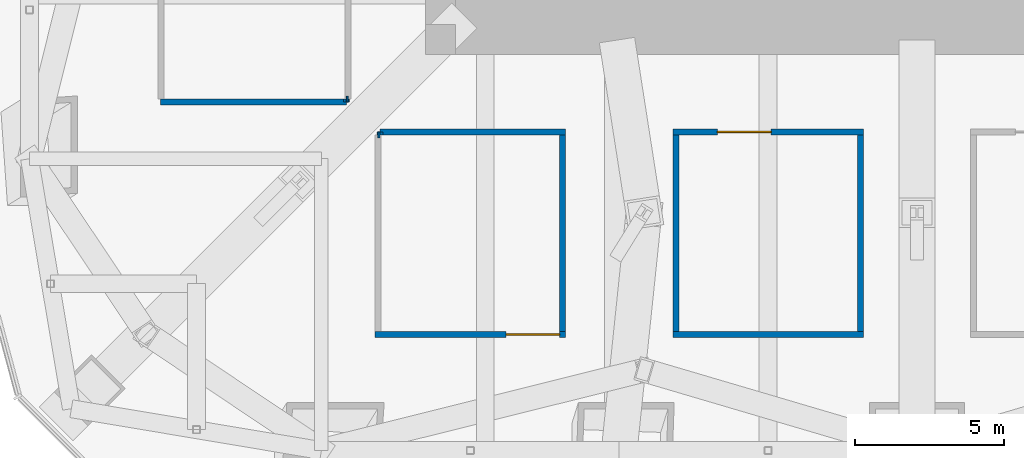
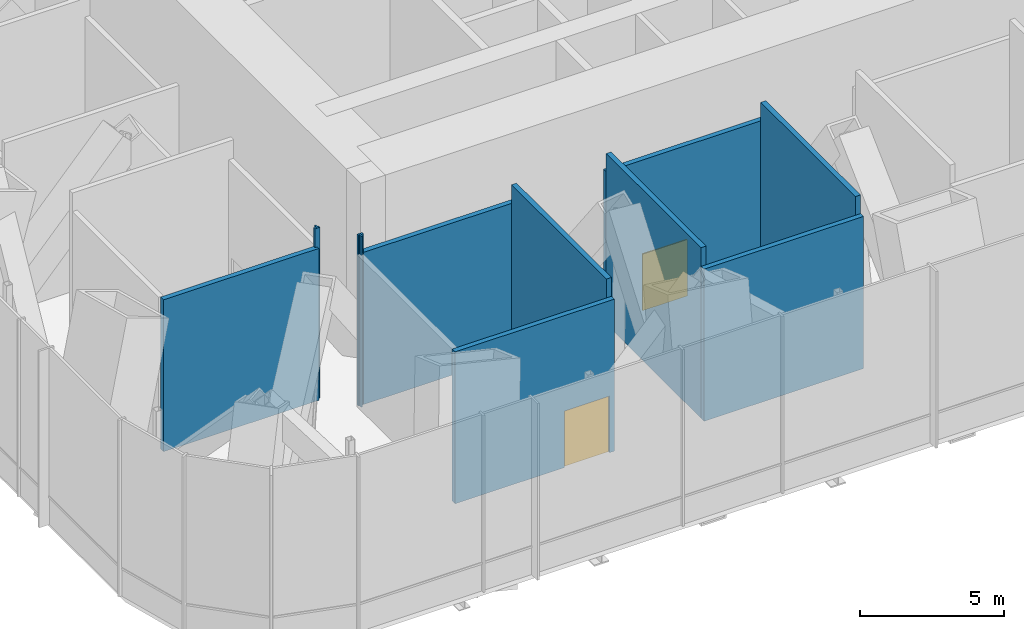
# One storey, part 12 of 20: 12 walls, 2 doors, 2 openings.
"""IFC4 building model written with IfcOpenShell, lengths in metres."""

from ifc_helpers import new_model, si_unit, direction, frame, frame_2d, origin, place, context, subcontext, project, spatial, rectangle, extrude, material, layer, layer_set, type_object, element, fill, save


model = new_model("IFC4")

# Units and contexts
model_context = context("Model", 3, precision=1e-05, world=origin(), true_north=direction((0.0, 1.0)))
body_context = subcontext(model_context, "Body", "Model", "MODEL_VIEW")
ifc_project = project(units=[si_unit("LENGTHUNIT", "METRE"), si_unit("AREAUNIT", "SQUARE_METRE"), si_unit("VOLUMEUNIT", "CUBIC_METRE"), si_unit("PLANEANGLEUNIT", "RADIAN"), si_unit("MASSUNIT", "GRAM", prefix="KILO")], contexts=[model_context])

# Site, building, storey
site_placement = place(None, origin())
site = spatial("IfcSite", under=ifc_project, at=site_placement, CompositionType="ELEMENT")
building_placement = place(site_placement, origin())
building = spatial("IfcBuilding", under=site, at=building_placement, Name="Khuree Lantern Residences", CompositionType="ELEMENT")
storey_placement = place(building_placement, frame((0.0, 0.0, 99.75)))
storey = spatial("IfcBuildingStorey", under=building, at=storey_placement, Name="L25", CompositionType="ELEMENT", Elevation=99.75)

# Wall, opening, door
ifc_material_1 = material(Name="Dense concrete blockwork", Category="masonry")
ifc_layer = layer(ifc_material_1, 0.199951171875)
ifc_layer_set = layer_set([ifc_layer], Name="FIRE-RATED ROOM WALL FRW200 EI 120")
wall_type = type_object("IfcWallType", Name="FIRE-RATED ROOM WALL FRW200 EI 120", PredefinedType="SOLIDWALL", material=ifc_layer_set)
wall_1_placement = place(storey_placement, frame((-18.199951171875, -25.89990234375, 0.0), z_axis=(0.0, 0.0, 1.0), x_axis=(1.0, 0.0, 0.0)))
wall_1 = element("IfcWall", 1, at=wall_1_placement, inside=storey, type_object=wall_type, Name="L25 ROOM WALL 1", PredefinedType="SOLIDWALL", context=body_context, shape_type="SweptSolid", body=[
    extrude(rectangle(XDim=6.39990234375, YDim=0.199951171875, at=frame_2d((3.199951171875, 0.0))), origin(), (0.0, 0.0, 1.0), 6.449951171875),
])
opening_1_placement = place(wall_1_placement, frame((4.39990234375, 0.0, 0.0)))
opening_1 = element("IfcOpeningElement", 2, at=opening_1_placement, cuts=wall_1, Name="Opening 25-032", PredefinedType="OPENING", context=body_context, shape_type="SweptSolid", body=[
    extrude(rectangle(XDim=1.800048828125, YDim=2.39990234375, at=frame_2d((0.89990234375, 1.199951171875))), frame((0.0, 0.10986328125, 0.0), z_axis=(0.0, -1.0, 0.0), x_axis=(1.0, 0.0, 0.0)), (0.0, 0.0, 1.0), 0.219970703125),
])
ifc_material_2 = material(Name="Steel door leaf in steel frame", Category="steel")
door_type = type_object("IfcDoorType", Name="PLANT ROOM DOOR 1800X2400 EI 60", OperationType="DOUBLE_DOOR_SINGLE_SWING", PredefinedType="DOOR", material=ifc_material_2)
door_1_placement = place(opening_1_placement, origin())
door_1 = element("IfcDoor", 3, at=door_1_placement, inside=storey, type_object=door_type, Name="Building management room door 25-032", OperationType="DOUBLE_DOOR_SINGLE_SWING", OverallHeight=2.39990234375, OverallWidth=1.800048828125, PredefinedType="DOOR", context=body_context, shape_type="SweptSolid", body=[
    extrude(rectangle(XDim=1.800048828125, YDim=2.39990234375, at=frame_2d((0.89990234375, 1.199951171875))), frame((0.0, 0.02490234375, 0.0), z_axis=(0.0, -1.0, 0.0), x_axis=(1.0, 0.0, 0.0)), (0.0, 0.0, 1.0), 0.050048828125),
])
fill(opening_1, door_1)

# Walls
wall_2_placement = place(storey_placement, frame((-8.199951171875, -25.89990234375, 0.0), z_axis=(0.0, 0.0, 1.0), x_axis=(1.0, 0.0, 0.0)))
element("IfcWall", 4, at=wall_2_placement, inside=storey, type_object=wall_type, Name="L25 ROOM WALL 2", PredefinedType="SOLIDWALL", context=body_context, shape_type="SweptSolid", body=[
    extrude(rectangle(XDim=6.39990234375, YDim=0.199951171875, at=frame_2d((3.199951171875, 0.0))), origin(), (0.0, 0.0, 1.0), 6.4599609375),
])
for number, where, z_axis, x_axis, name in (
    (5, (-11.89990234375, -25.800048828125, 0.0), (0.0, 0.0, 1.0), (0.0, 1.0, 0.0), "L25 ROOM WALL 6"),
    (6, (-8.10009765625, -25.800048828125, 0.0), (0.0, 0.0, 1.0), (0.0, 1.0, 0.0), "L25 ROOM WALL 7"),
    (7, (-1.89990234375, -25.800048828125, 0.0), (0.0, 0.0, 1.0), (0.0, 1.0, 0.0), "L25 ROOM WALL 8"),
):
    element("IfcWall", number, at=place(storey_placement, frame(where, z_axis=z_axis, x_axis=x_axis)), inside=storey, type_object=wall_type, Name=name, PredefinedType="SOLIDWALL", context=body_context, shape_type="SweptSolid", body=[
        extrude(rectangle(XDim=6.60009765625, YDim=0.199951171875, at=frame_2d((3.300048828125, 0.0))), origin(), (0.0, 0.0, 1.0), 7.25),
    ])
wall_3_placement = place(storey_placement, frame((-18.039306640625, -19.199951171875, 0.0), z_axis=(0.0, 0.0, 1.0), x_axis=(-1.0, 0.0, 0.0)))
element("IfcWall", 8, at=wall_3_placement, inside=storey, type_object=wall_type, Name="L25 ROOM WALL 13", PredefinedType="SOLIDWALL", context=body_context, shape_type="SweptSolid", body=[
    extrude(rectangle(XDim=0.060791015625, YDim=0.199951171875, at=frame_2d((0.0302734375, 0.0))), origin(), (0.0, 0.0, 1.0), 7.25),
])
wall_4_placement = place(storey_placement, frame((-18.039306640625, -19.10009765625, 0.0), z_axis=(0.0, 0.0, 1.0), x_axis=(0.0, -1.0, 0.0)))
element("IfcWall", 9, at=wall_4_placement, inside=storey, type_object=wall_type, Name="L25 ROOM WALL 15", PredefinedType="SOLIDWALL", context=body_context, shape_type="SweptSolid", body=[
    extrude(rectangle(XDim=0.099853515625, YDim=0.199951171875, at=frame_2d((0.0498046875, 0.0))), origin(), (0.0, 0.0, 1.0), 7.25),
])
wall_5_placement = place(storey_placement, frame((-18.039306640625, -19.10009765625, 0.0), z_axis=(0.0, 0.0, 1.0), x_axis=(1.0, 0.0, 0.0)))
element("IfcWall", 10, at=wall_5_placement, inside=storey, type_object=wall_type, Name="L25 ROOM WALL 16", PredefinedType="SOLIDWALL", context=body_context, shape_type="SweptSolid", body=[
    extrude(rectangle(XDim=6.2392578125, YDim=0.199951171875, at=frame_2d((3.11962890625, 0.0))), origin(), (0.0, 0.0, 1.0), 6.4599609375),
])

# Wall, opening, door
wall_6_placement = place(storey_placement, frame((-8.199951171875, -19.10009765625, 0.0), z_axis=(0.0, 0.0, 1.0), x_axis=(1.0, 0.0, 0.0)))
wall_6 = element("IfcWall", 11, at=wall_6_placement, inside=storey, type_object=wall_type, Name="L25 ROOM WALL 17", PredefinedType="SOLIDWALL", context=body_context, shape_type="SweptSolid", body=[
    extrude(rectangle(XDim=6.39990234375, YDim=0.199951171875, at=frame_2d((3.199951171875, 0.0))), origin(), (0.0, 0.0, 1.0), 6.4599609375),
])
opening_2_placement = place(wall_6_placement, frame((1.5, 0.0, 0.0)))
opening_2 = element("IfcOpeningElement", 12, at=opening_2_placement, cuts=wall_6, Name="Opening 25-030", PredefinedType="OPENING", context=body_context, shape_type="SweptSolid", body=[
    extrude(rectangle(XDim=1.800048828125, YDim=2.39990234375, at=frame_2d((0.89990234375, 1.199951171875))), frame((0.0, 0.10986328125, 0.0), z_axis=(0.0, -1.0, 0.0), x_axis=(1.0, 0.0, 0.0)), (0.0, 0.0, 1.0), 0.219970703125),
])
door_2_placement = place(opening_2_placement, origin())
door_2 = element("IfcDoor", 13, at=door_2_placement, inside=storey, type_object=door_type, Name="Transfer water tank room door 25-030", OperationType="DOUBLE_DOOR_SINGLE_SWING", OverallHeight=2.39990234375, OverallWidth=1.800048828125, PredefinedType="DOOR", context=body_context, shape_type="SweptSolid", body=[
    extrude(rectangle(XDim=1.800048828125, YDim=2.39990234375, at=frame_2d((0.89990234375, 1.199951171875))), frame((0.0, 0.02490234375, 0.0), z_axis=(0.0, -1.0, 0.0), x_axis=(1.0, 0.0, 0.0)), (0.0, 0.0, 1.0), 0.050048828125),
])
fill(opening_2, door_2)

# Walls
wall_7_placement = place(storey_placement, frame((-25.39990234375, -18.10009765625, 0.0), z_axis=(0.0, 0.0, 1.0), x_axis=(1.0, 0.0, 0.0)))
element("IfcWall", 14, at=wall_7_placement, inside=storey, type_object=wall_type, Name="L25 ROOM WALL 21", PredefinedType="SOLIDWALL", context=body_context, shape_type="SweptSolid", body=[
    extrude(rectangle(XDim=6.239013671875, YDim=0.199951171875, at=frame_2d((3.11962890625, 0.0))), origin(), (0.0, 0.0, 1.0), 6.449951171875),
])
wall_8_placement = place(storey_placement, frame((-19.160888671875, -18.10009765625, 0.0), z_axis=(0.0, 0.0, 1.0), x_axis=(0.0, 1.0, 0.0)))
element("IfcWall", 15, at=wall_8_placement, inside=storey, type_object=wall_type, Name="L25 ROOM WALL 22", PredefinedType="SOLIDWALL", context=body_context, shape_type="SweptSolid", body=[
    extrude(rectangle(XDim=0.10009765625, YDim=0.199951171875, at=frame_2d((0.050048828125, 0.0))), origin(), (0.0, 0.0, 1.0), 7.25),
])
wall_9_placement = place(storey_placement, frame((-19.160888671875, -18.0, 0.0), z_axis=(0.0, 0.0, 1.0), x_axis=(1.0, 0.0, 0.0)))
element("IfcWall", 16, at=wall_9_placement, inside=storey, type_object=wall_type, Name="L25 ROOM WALL 26", PredefinedType="SOLIDWALL", context=body_context, shape_type="SweptSolid", body=[
    extrude(rectangle(XDim=0.060791015625, YDim=0.199951171875, at=frame_2d((0.0302734375, 0.0))), origin(), (0.0, 0.0, 1.0), 7.25),
])

save(model, "model.ifc")
